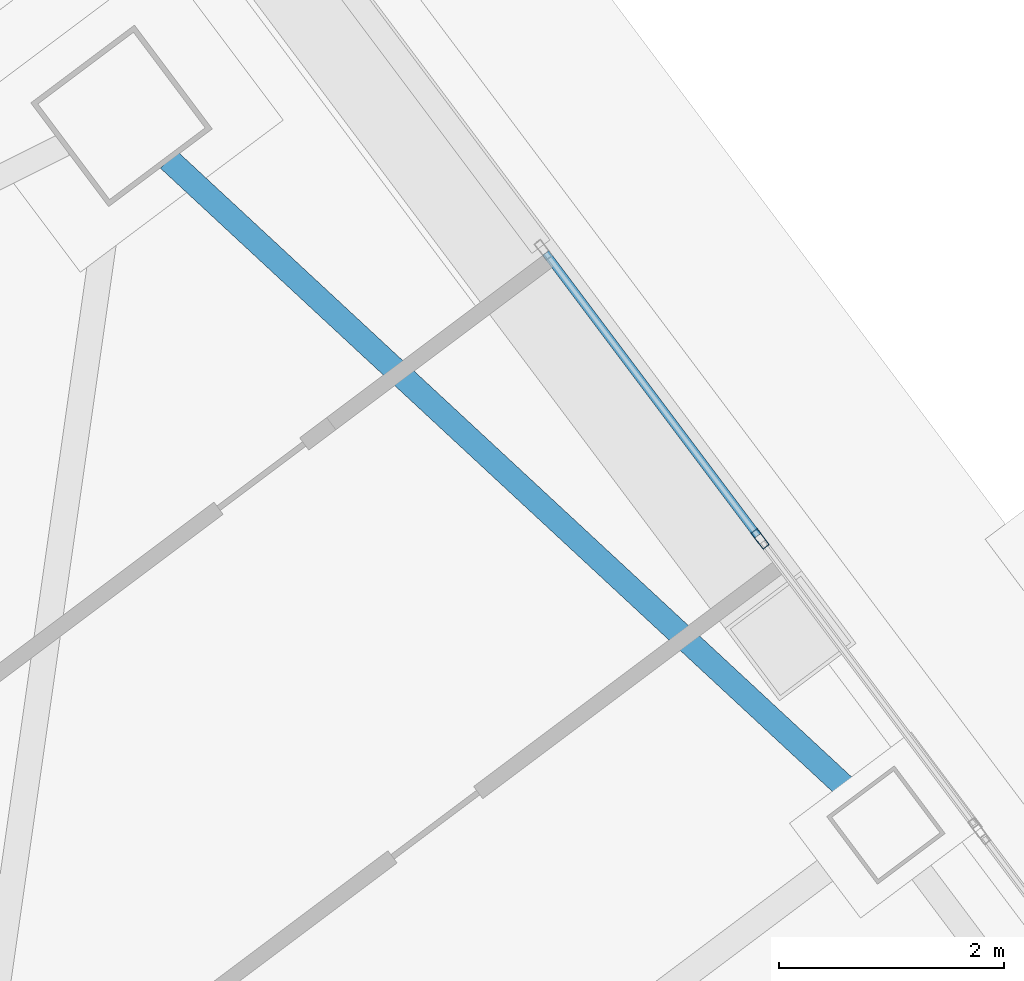
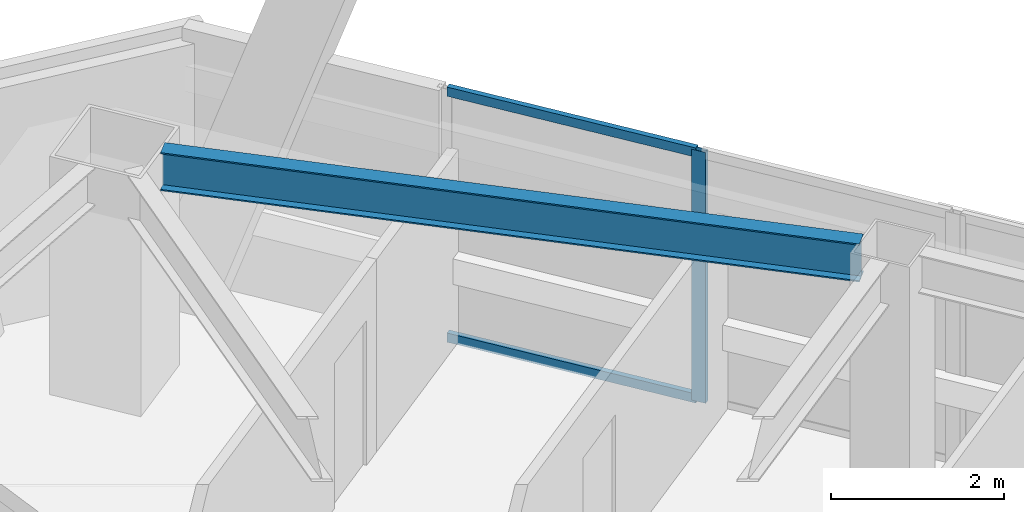
# One storey, part 50 of 65: 3 members, 1 beam, 1 element without a shape of its own.
"""IFC4 building model written with IfcOpenShell, lengths in metres."""

import ifcopenshell
import ifcopenshell.guid

model = None  # the IFC model being written
_history = None  # IfcOwnerHistory: only IFC2X3 demands one
_inside = {}  # id of a spatial element -> (the spatial element, [elements in it])
_under = {}  # id of a project, library or spatial element -> (it, [spatial elements below it])
_declared = {}  # id of a project -> (the project, [libraries it declares])
_typed = {}  # id of a type object -> (the type object, [elements of that type])
_made_of = {}  # id of a material, layer set ... -> (it, [elements and type objects made of it])


def new_model(schema):
    """Start an empty IFC model of exactly this schema.

    Asked for "IFC4X3", IfcOpenShell would pick the latest addendum, in which some entities
    have other attributes; the version numbers below select the first issue.
    IFC2X3 requires an IfcOwnerHistory on every rooted entity: one is made here for all.
    """
    global model, _history
    if schema == "IFC4X3":
        model = ifcopenshell.file(schema_version=(4, 3, 0, 0))
    else:
        model = ifcopenshell.file(schema=schema)
    _inside.clear()
    _under.clear()
    _declared.clear()
    _typed.clear()
    _made_of.clear()
    _history = None
    if model.schema == "IFC2X3":
        org = make("IfcOrganization", Name="unknown")
        user = make(
            "IfcPersonAndOrganization",
            ThePerson=make("IfcPerson", FamilyName="unknown"),
            TheOrganization=org,
        )
        app = make(
            "IfcApplication",
            ApplicationDeveloper=org,
            Version="unknown",
            ApplicationFullName="unknown",
            ApplicationIdentifier="unknown",
        )
        _history = make(
            "IfcOwnerHistory",
            OwningUser=user,
            OwningApplication=app,
            ChangeAction="ADDED",
            CreationDate=0,
        )
    return model


def make(cls, **values):
    """One entity of the class cls with the attributes given. An attribute that is None is left unset."""
    return model.create_entity(
        cls, **{name: value for name, value in values.items() if value is not None}
    )


def rooted(cls, **values):
    """An entity with a GlobalId (a new one), such as an element, a storey or a relation."""
    return make(cls, GlobalId=ifcopenshell.guid.new(), OwnerHistory=_history, **values)


def si_unit(unit_type, name, prefix=None):
    """IfcSIUnit, for example si_unit("LENGTHUNIT", "METRE", prefix="MILLI")."""
    return make("IfcSIUnit", UnitType=unit_type, Prefix=prefix, Name=name)


def assignment(units):
    """IfcUnitAssignment: the units of a project."""
    return None if units is None else make("IfcUnitAssignment", Units=units)


def point(xyz):
    """IfcCartesianPoint."""
    return None if xyz is None else make("IfcCartesianPoint", Coordinates=xyz)


def direction(xyz):
    """IfcDirection."""
    return None if xyz is None else make("IfcDirection", DirectionRatios=xyz)


def frame(location, z_axis=None, x_axis=None):
    """IfcAxis2Placement3D, a coordinate frame: its origin and axes. An axis left out is left unset."""
    return make(
        "IfcAxis2Placement3D",
        Location=point(location),
        Axis=direction(z_axis),
        RefDirection=direction(x_axis),
    )


def frame_2d(location, x_axis=None):
    """IfcAxis2Placement2D, a coordinate frame in the plane: its origin and x axis."""
    return make(
        "IfcAxis2Placement2D", Location=point(location), RefDirection=direction(x_axis)
    )


def origin():
    """The frame at (0, 0, 0) with its axes left unset."""
    return frame((0.0, 0.0, 0.0))


def origin_2d():
    """The frame at (0, 0) in the plane with its x axis left unset."""
    return frame_2d((0.0, 0.0))


def place(relative_to, where):
    """IfcLocalPlacement: puts the frame where relative to a parent placement (None: the world)."""
    return make(
        "IfcLocalPlacement", PlacementRelTo=relative_to, RelativePlacement=where
    )


def context(
    kind, dimensions, precision=None, world=None, true_north=None, identifier=None
):
    """IfcGeometricRepresentationContext, for example the 3D "Model" context."""
    return make(
        "IfcGeometricRepresentationContext",
        ContextIdentifier=identifier,
        ContextType=kind,
        CoordinateSpaceDimension=dimensions,
        Precision=precision,
        WorldCoordinateSystem=world,
        TrueNorth=true_north,
    )


def subcontext(parent, identifier, kind, view, scale=None):
    """IfcGeometricRepresentationSubContext, for example "Body" below "Model"."""
    return make(
        "IfcGeometricRepresentationSubContext",
        ContextIdentifier=identifier,
        ContextType=kind,
        ParentContext=parent,
        TargetScale=scale,
        TargetView=view,
    )


def project(units=None, contexts=None):
    """IfcProject with its units and contexts."""
    return rooted(
        "IfcProject",
        Name="project",
        RepresentationContexts=contexts,
        UnitsInContext=assignment(units),
    )


def spatial(cls, under=None, at=None, **own):
    """A site, building, storey or space (cls), placed at a placement, below another one or the project."""
    s = rooted(cls, ObjectPlacement=at, **own)
    if under is not None:
        _under.setdefault(under.id(), (under, []))[1].append(s)
    return s


def profile(cls, at=None, kind="AREA", **sizes):
    """A parametric profile (cls). Its sizes go by their IFC names, for example OverallWidth=200.0."""
    return make(cls, ProfileType=kind, Position=at, **sizes)


def hollow_rectangle(**sizes):
    """IfcRectangleHollowProfileDef."""
    return profile("IfcRectangleHollowProfileDef", **sizes)


def i_section(**sizes):
    """IfcIShapeProfileDef."""
    return profile("IfcIShapeProfileDef", **sizes)


def extrude(swept, where, along, depth):
    """IfcExtrudedAreaSolid: the profile swept, set in the frame where, extruded along a direction by depth."""
    return make(
        "IfcExtrudedAreaSolid",
        SweptArea=swept,
        Position=where,
        ExtrudedDirection=direction(along),
        Depth=depth,
    )


def shape(context_of_items, identifier, shape_type, items):
    """IfcShapeRepresentation: the items that make up one representation, for example the "Body"."""
    return make(
        "IfcShapeRepresentation",
        ContextOfItems=context_of_items,
        RepresentationIdentifier=identifier,
        RepresentationType=shape_type,
        Items=items,
    )


def material(Name=None, Category=None):
    """IfcMaterial."""
    return make("IfcMaterial", Name=Name, Category=Category)


def material_profile(
    of_material, cross_section, Name=None, Category=None, Priority=None
):
    """IfcMaterialProfile: a cross section and its material."""
    return make(
        "IfcMaterialProfile",
        Name=Name,
        Material=of_material,
        Profile=cross_section,
        Priority=Priority,
        Category=Category,
    )


def profile_set(profiles, Name=None, composite=None):
    """IfcMaterialProfileSet."""
    return make(
        "IfcMaterialProfileSet",
        Name=Name,
        MaterialProfiles=profiles,
        CompositeProfile=composite,
    )


def made_of(thing, what):
    """Note that an element or type object is made of a material, layer set ...; save() writes the relation."""
    if what is not None:
        _made_of.setdefault(what.id(), (what, []))[1].append(thing)
    return thing


def type_object(cls, material=None, **own):
    """A type object (cls), such as IfcWallType, which elements share."""
    return made_of(rooted(cls, **own), material)


def element(
    cls,
    number,
    at=None,
    inside=None,
    cuts=None,
    type_object=None,
    material=None,
    context=None,
    identifier="Body",
    shape_type=None,
    held_by="IfcProductDefinitionShape",
    body=None,
    shapes=None,
    **own,
):
    """One element of the class cls, such as IfcWall. Its Tag is "e" and its number.

    at: its placement. inside: the storey or other place that contains it. cuts: it is an
    opening in that element (IfcRelVoidsElement). A single representation is given by context,
    identifier, shape_type and body (its items); several are given by shapes. held_by: the class
    of the entity that holds the representations. save() writes the other relations.
    """
    e = rooted(cls, Tag="e%d" % number, ObjectPlacement=at, **own)
    if body is not None:
        shapes = [shape(context, identifier, shape_type, body)]
    if shapes is not None:
        e.Representation = make(held_by, Representations=shapes)
    if inside is not None:
        _inside.setdefault(inside.id(), (inside, []))[1].append(e)
    if cuts is not None:
        rooted(
            "IfcRelVoidsElement", RelatingBuildingElement=cuts, RelatedOpeningElement=e
        )
    if type_object is not None:
        _typed.setdefault(type_object.id(), (type_object, []))[1].append(e)
    return made_of(e, material)


def aggregate(whole, parts):
    """IfcRelAggregates: a whole, such as a stair, and the parts it consists of."""
    return rooted("IfcRelAggregates", RelatingObject=whole, RelatedObjects=parts)


def save(model, path):
    """Write the relations noted so far, then the file.

    IfcRelAggregates (storeys below a building ...), IfcRelContainedInSpatialStructure (elements
    in a storey), IfcRelDefinesByType, IfcRelAssociatesMaterial and IfcRelDeclares: one each for
    every whole, place, type object, material and project.
    """
    for whole, parts in _under.values():
        aggregate(whole, parts)
    for where, things in _inside.values():
        rooted(
            "IfcRelContainedInSpatialStructure",
            RelatedElements=things,
            RelatingStructure=where,
        )
    for kind, things in _typed.values():
        rooted("IfcRelDefinesByType", RelatedObjects=things, RelatingType=kind)
    for what, things in _made_of.values():
        rooted("IfcRelAssociatesMaterial", RelatedObjects=things, RelatingMaterial=what)
    for by, libraries in _declared.values():
        rooted("IfcRelDeclares", RelatingContext=by, RelatedDefinitions=libraries)
    model.write(path)


model = new_model("IFC4")

# Units and contexts
model_context = context("Model", 3, precision=1e-05, world=origin(), true_north=direction((0.0, 1.0)))
body_context = subcontext(model_context, "Body", "Model", "MODEL_VIEW")
ifc_project = project(units=[si_unit("LENGTHUNIT", "METRE"), si_unit("AREAUNIT", "SQUARE_METRE"), si_unit("VOLUMEUNIT", "CUBIC_METRE"), si_unit("PLANEANGLEUNIT", "RADIAN"), si_unit("MASSUNIT", "GRAM", prefix="KILO")], contexts=[model_context])

# Site, building, storey
site_placement = place(None, origin())
site = spatial("IfcSite", under=ifc_project, at=site_placement, CompositionType="ELEMENT")
building_placement = place(site_placement, origin())
building = spatial("IfcBuilding", under=site, at=building_placement, Name="Tashvorn Skyway Center", CompositionType="ELEMENT")
storey_placement = place(building_placement, frame((0.0, 0.0, 157.0)))
storey = spatial("IfcBuildingStorey", under=building, at=storey_placement, Name="L42", CompositionType="ELEMENT", Elevation=157.0)

# Beam
ifc_material_1 = material(Name="Steel ASTM A992 Grade 50", Category="steel")
ifc_material_profile_1 = material_profile(ifc_material_1, i_section(OverallWidth=0.2109375, OverallDepth=0.5390625, WebThickness=0.01171875, FlangeThickness=0.018798828125, at=origin_2d()), Name="W21X73")
ifc_profile_set_1 = profile_set([ifc_material_profile_1], Name="Steel ASTM A992 Grade 50")
beam_type = type_object("IfcBeamType", Name="BM-SPANDREL-W21X73", PredefinedType="SPANDREL", material=ifc_profile_set_1)
beam_placement = place(storey_placement, frame((123.40869140625, 46.26171875, 3.1005859375), z_axis=(-0.733101115618, 0.680119661736, 0.0), x_axis=(-0.680119661736, -0.733101115618, 0.0)))
element("IfcBeam", 1, at=beam_placement, inside=storey, type_object=beam_type, Name="Tower 2 L42 Spandrel Beam 06", PredefinedType="SPANDREL", context=body_context, shape_type="SweptSolid", body=[
    extrude(i_section(OverallWidth=0.2109375, OverallDepth=0.5390625, WebThickness=0.01171875, FlangeThickness=0.018798828125, at=origin_2d()), origin(), (0.0, 0.0, 1.0), 8.308349609375),
])

# Curtain wall, members
ifc_material_2 = material(Name="Thermally broken bronze-anodized aluminium 6063-T6", Category="aluminium")
curtain_wall_type = type_object("IfcCurtainWallType", Name="CW-CW-Z4", PredefinedType="NOTDEFINED", material=ifc_material_2)
curtain_wall_placement = place(storey_placement, origin())
curtain_wall = element("IfcCurtainWall", 2, at=curtain_wall_placement, inside=storey, type_object=curtain_wall_type, Name="Tower 2 L42 East Unitised Curtain Wall Glazing Group 1", PredefinedType="NOTDEFINED")
ifc_material_profile_2 = material_profile(ifc_material_2, hollow_rectangle(XDim=0.070068359375, YDim=0.179931640625, WallThickness=0.00390625, at=origin_2d()), Name="ALU-MULL-70x180")
ifc_profile_set_2 = profile_set([ifc_material_profile_2], Name="Thermally broken bronze-anodized aluminium 6063-T6")
member_type_1 = type_object("IfcMemberType", Name="CWM-CW-Z4", PredefinedType="MULLION", material=ifc_profile_set_2)
member_1_placement = place(storey_placement, frame((122.56396484375, 48.548095703125, 0.0), z_axis=(0.0, 0.0, 1.0), x_axis=(0.799999999998, 0.600000000002, 0.0)))
member_1 = element("IfcMember", 3, at=member_1_placement, type_object=member_type_1, Name="CW-Z4 mullion 2", PredefinedType="MULLION", context=body_context, shape_type="SweptSolid", body=[
    extrude(hollow_rectangle(XDim=0.070068359375, YDim=0.179931640625, WallThickness=0.00390625, at=origin_2d()), origin(), (0.0, 0.0, 1.0), 3.550048828125),
])
ifc_material_profile_3 = material_profile(ifc_material_2, hollow_rectangle(XDim=0.070068359375, YDim=0.1298828125, WallThickness=0.00390625, at=origin_2d()), Name="ALU-TRAN-70x130")
ifc_profile_set_3 = profile_set([ifc_material_profile_3], Name="Thermally broken bronze-anodized aluminium 6063-T6")
member_type_2 = type_object("IfcMemberType", Name="CWT-CW-Z4", PredefinedType="USERDEFINED", material=ifc_profile_set_3)
member_2_placement = place(storey_placement, frame((120.662109375, 51.083984375, 0.034912109375), z_axis=(0.599962618496, -0.800028034763, 0.0), x_axis=(0.800028034763, 0.599962618496, 0.0)))
member_2 = element("IfcMember", 4, at=member_2_placement, type_object=member_type_2, Name="CW-Z4 transom 1.1", ObjectType="TRANSOM", PredefinedType="USERDEFINED", context=body_context, shape_type="SweptSolid", body=[
    extrude(hollow_rectangle(XDim=0.070068359375, YDim=0.1298828125, WallThickness=0.00390625, at=origin_2d()), origin(), (0.0, 0.0, 1.0), 3.135009765625),
])
member_3_placement = place(storey_placement, frame((120.662109375, 51.083984375, 3.514892578125), z_axis=(0.599962618496, -0.800028034763, 0.0), x_axis=(0.800028034763, 0.599962618496, 0.0)))
member_3 = element("IfcMember", 5, at=member_3_placement, type_object=member_type_2, Name="CW-Z4 transom 1.2", ObjectType="TRANSOM", PredefinedType="USERDEFINED", context=body_context, shape_type="SweptSolid", body=[
    extrude(hollow_rectangle(XDim=0.070068359375, YDim=0.1298828125, WallThickness=0.00390625, at=origin_2d()), origin(), (0.0, 0.0, 1.0), 3.135009765625),
])
aggregate(curtain_wall, [member_1, member_2, member_3])

save(model, "model.ifc")
